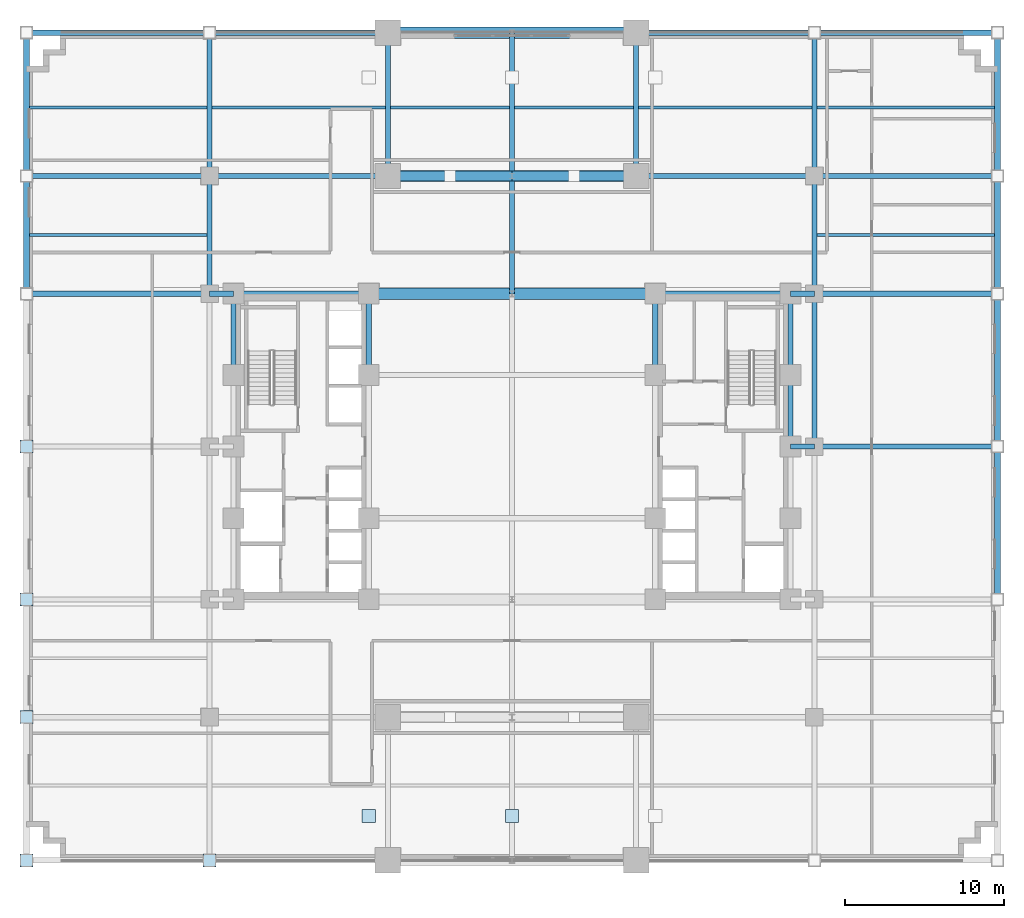
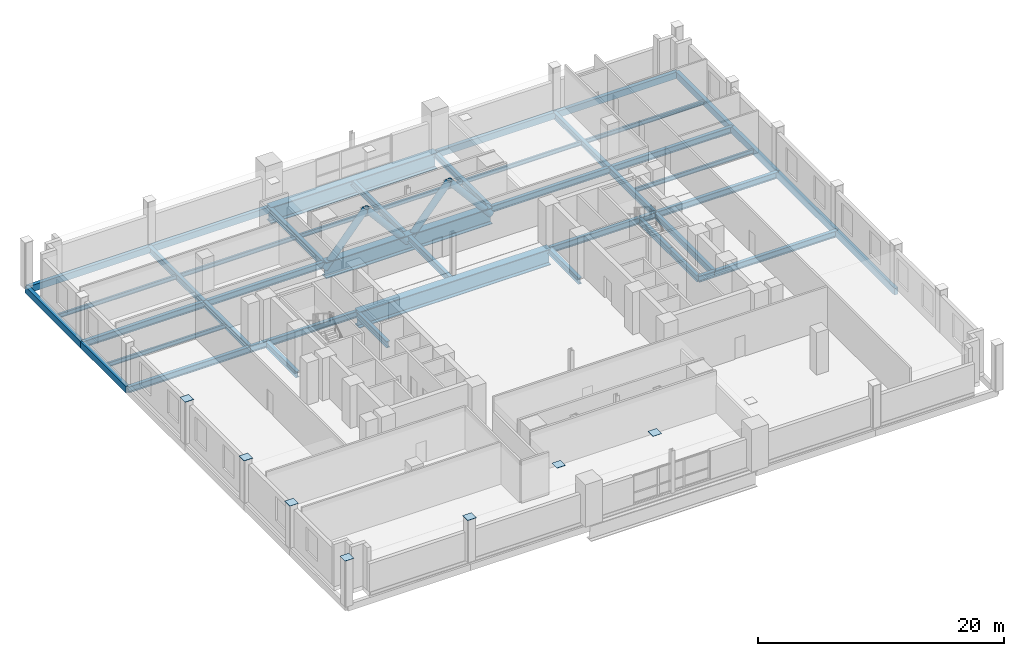
# One storey, part 5 of 17: 47 beams, 7 plates, 4 members.
"""IFC4 building model written with IfcOpenShell, lengths in metres."""

from ifc_helpers import new_model, si_unit, direction, frame, origin, origin_2d, place, context, subcontext, project, spatial, rectangle, hollow_circle, i_section, extrude, source, transform, mapped, material, layer, layer_set, material_profile, profile_set, type_object, type_shapes, element, save


model = new_model("IFC4")

# Units and contexts
model_context = context("Model", 3, precision=1e-05, world=origin(), true_north=direction((0.0, 1.0)))
body_context = subcontext(model_context, "Body", "Model", "MODEL_VIEW")
ifc_project = project(units=[si_unit("LENGTHUNIT", "METRE"), si_unit("AREAUNIT", "SQUARE_METRE"), si_unit("VOLUMEUNIT", "CUBIC_METRE"), si_unit("PLANEANGLEUNIT", "RADIAN"), si_unit("MASSUNIT", "GRAM", prefix="KILO")], contexts=[model_context])

# Site, building, storey
site_placement = place(None, origin())
site = spatial("IfcSite", under=ifc_project, at=site_placement, CompositionType="ELEMENT")
building_placement = place(site_placement, origin())
building = spatial("IfcBuilding", under=site, at=building_placement, Name="Nuvemarco Arch Tower", CompositionType="ELEMENT")
storey_placement = place(building_placement, frame((0.0, 0.0, 23.0)))
storey = spatial("IfcBuildingStorey", under=building, at=storey_placement, Name="L05", CompositionType="ELEMENT", Elevation=23.0)

# Beams
ifc_material_1 = material(Name="Steel S460", Category="steel")
ifc_material_profile_1 = material_profile(ifc_material_1, i_section(OverallWidth=0.699951171875, OverallDepth=1.60009765625, WebThickness=0.035888671875, FlangeThickness=0.06494140625, FilletRadius=0.02392578125, at=origin_2d()), Name="PG1600x700")
ifc_profile_set_1 = profile_set([ifc_material_profile_1], Name="Steel S460")
beam_type_1 = type_object("IfcBeamType", Name="BM-ARCH-TRUSS", PredefinedType="BEAM", material=ifc_profile_set_1)
beam_1_placement = place(storey_placement, frame((-9.0, 9.60009765625, -1.199951171875), z_axis=(1.0, 0.0, 0.0), x_axis=(0.0, 1.0, 0.0)))
element("IfcBeam", 1, at=beam_1_placement, inside=storey, type_object=beam_type_1, Name="L05 Giant Arch transfer girder chord +9.6", PredefinedType="BEAM", context=body_context, shape_type="SweptSolid", body=[
    extrude(i_section(OverallWidth=0.699951171875, OverallDepth=1.60009765625, WebThickness=0.035888671875, FlangeThickness=0.06494140625, FilletRadius=0.02392578125, at=origin_2d()), origin(), (0.0, 0.0, 1.0), 18.0),
])
beam_2_placement = place(storey_placement, frame((-7.800048828125, 17.0, -1.199951171875), z_axis=(1.0, 0.0, 0.0), x_axis=(0.0, 1.0, 0.0)))
element("IfcBeam", 2, at=beam_2_placement, inside=storey, type_object=beam_type_1, Name="L05 Giant Arch transfer girder chord +17.0", PredefinedType="BEAM", context=body_context, shape_type="SweptSolid", body=[
    extrude(i_section(OverallWidth=0.699951171875, OverallDepth=1.60009765625, WebThickness=0.035888671875, FlangeThickness=0.06494140625, FilletRadius=0.02392578125, at=origin_2d()), origin(), (0.0, 0.0, 1.0), 15.60009765625),
])
ifc_material_profile_2 = material_profile(ifc_material_1, i_section(OverallWidth=0.699951171875, OverallDepth=1.60009765625, WebThickness=0.035888671875, FlangeThickness=0.06494140625, FilletRadius=0.02392578125, at=origin_2d()), Name="PG1600x700")
ifc_profile_set_2 = profile_set([ifc_material_profile_2], Name="Steel S460")
beam_type_2 = type_object("IfcBeamType", Name="BM-ARCH-TRUSS-EXT", PredefinedType="BEAM", material=ifc_profile_set_2)
beam_3_placement = place(storey_placement, frame((-7.800048828125, 26.0, -1.199951171875), z_axis=(1.0, 0.0, 0.0), x_axis=(0.0, 1.0, 0.0)))
element("IfcBeam", 3, at=beam_3_placement, inside=storey, type_object=beam_type_2, Name="L05 Giant Arch transfer girder chord +26.0", PredefinedType="BEAM", context=body_context, shape_type="SweptSolid", body=[
    extrude(i_section(OverallWidth=0.699951171875, OverallDepth=1.60009765625, WebThickness=0.035888671875, FlangeThickness=0.06494140625, FilletRadius=0.02392578125, at=origin_2d()), origin(), (0.0, 0.0, 1.0), 15.60009765625),
])
ifc_material_2 = material(Name="Steel S355", Category="steel")
ifc_material_profile_3 = material_profile(ifc_material_2, i_section(OverallWidth=0.324951171875, OverallDepth=0.615966796875, WebThickness=0.013916015625, FlangeThickness=0.021484375, FilletRadius=0.01611328125, at=origin_2d()), Name="W610x174")
ifc_profile_set_3 = profile_set([ifc_material_profile_3], Name="Steel S355")
beam_type_3 = type_object("IfcBeamType", Name="BM-GIRD-610H", PredefinedType="BEAM", material=ifc_profile_set_3)
beam_4_placement = place(storey_placement, frame((-19.0, 9.60009765625, -0.7080078125), z_axis=(0.0, 1.0, 0.0), x_axis=(-1.0, 0.0, 0.0)))
element("IfcBeam", 4, at=beam_4_placement, inside=storey, type_object=beam_type_3, Name="L05 structural beam BGNS_L05_0_-19.0_+9.6", PredefinedType="BEAM", context=body_context, shape_type="SweptSolid", body=[
    extrude(i_section(OverallWidth=0.324951171875, OverallDepth=0.615966796875, WebThickness=0.013916015625, FlangeThickness=0.021484375, FilletRadius=0.01611328125, at=origin_2d()), origin(), (0.0, 0.0, 1.0), 7.39990234375),
])
beam_5_placement = place(storey_placement, frame((-19.0, 17.0, -0.7080078125), z_axis=(0.0, 1.0, 0.0), x_axis=(-1.0, 0.0, 0.0)))
element("IfcBeam", 5, at=beam_5_placement, inside=storey, type_object=beam_type_3, Name="L05 structural beam BGNS_L05_0_-19.0_+17.0", PredefinedType="BEAM", context=body_context, shape_type="SweptSolid", body=[
    extrude(i_section(OverallWidth=0.324951171875, OverallDepth=0.615966796875, WebThickness=0.013916015625, FlangeThickness=0.021484375, FilletRadius=0.01611328125, at=origin_2d()), origin(), (0.0, 0.0, 1.0), 9.0),
])
for number, where, z_axis, x_axis, name in (
    (6, (-17.5, 4.5, -0.7080078125), (0.0, 1.0, 0.0), (-1.0, 0.0, 0.0), "L05 structural beam BGNS_L05_0_-17.5_+4.5"),
    (7, (-9.0, 4.5, -0.7080078125), (0.0, 1.0, 0.0), (-1.0, 0.0, 0.0), "L05 structural beam BGNS_L05_0_-9.0_+4.5"),
):
    element("IfcBeam", number, at=place(storey_placement, frame(where, z_axis=z_axis, x_axis=x_axis)), inside=storey, type_object=beam_type_3, Name=name, PredefinedType="BEAM", context=body_context, shape_type="SweptSolid", body=[
        extrude(i_section(OverallWidth=0.324951171875, OverallDepth=0.615966796875, WebThickness=0.013916015625, FlangeThickness=0.021484375, FilletRadius=0.01611328125, at=origin_2d()), origin(), (0.0, 0.0, 1.0), 5.10009765625),
    ])
beam_6_placement = place(storey_placement, frame((-7.800048828125, 17.0, -0.7080078125), z_axis=(0.0, 1.0, 0.0), x_axis=(-1.0, 0.0, 0.0)))
element("IfcBeam", 8, at=beam_6_placement, inside=storey, type_object=beam_type_3, Name="L05 structural beam BGNS_L05_0_-7.8_+17.0", PredefinedType="BEAM", context=body_context, shape_type="SweptSolid", body=[
    extrude(i_section(OverallWidth=0.324951171875, OverallDepth=0.615966796875, WebThickness=0.013916015625, FlangeThickness=0.021484375, FilletRadius=0.01611328125, at=origin_2d()), origin(), (0.0, 0.0, 1.0), 9.0),
])
beam_7_placement = place(storey_placement, frame((0.0, 9.60009765625, -0.7080078125), z_axis=(0.0, 1.0, 0.0), x_axis=(-1.0, 0.0, 0.0)))
element("IfcBeam", 9, at=beam_7_placement, inside=storey, type_object=beam_type_3, Name="L05 structural beam BGNS_L05_0_+0.0_+9.6", PredefinedType="BEAM", context=body_context, shape_type="SweptSolid", body=[
    extrude(i_section(OverallWidth=0.324951171875, OverallDepth=0.615966796875, WebThickness=0.013916015625, FlangeThickness=0.021484375, FilletRadius=0.01611328125, at=origin_2d()), origin(), (0.0, 0.0, 1.0), 7.39990234375),
])
for number, where, z_axis, x_axis, name in (
    (10, (0.0, 17.0, -0.7080078125), (0.0, 1.0, 0.0), (-1.0, 0.0, 0.0), "L05 structural beam BGNS_L05_0_+0.0_+17.0"),
    (11, (7.800048828125, 17.0, -0.7080078125), (0.0, 1.0, 0.0), (-1.0, 0.0, 0.0), "L05 structural beam BGNS_L05_0_+7.8_+17.0"),
):
    element("IfcBeam", number, at=place(storey_placement, frame(where, z_axis=z_axis, x_axis=x_axis)), inside=storey, type_object=beam_type_3, Name=name, PredefinedType="BEAM", context=body_context, shape_type="SweptSolid", body=[
        extrude(i_section(OverallWidth=0.324951171875, OverallDepth=0.615966796875, WebThickness=0.013916015625, FlangeThickness=0.021484375, FilletRadius=0.01611328125, at=origin_2d()), origin(), (0.0, 0.0, 1.0), 9.0),
    ])
beam_8_placement = place(storey_placement, frame((9.0, 4.5, -0.7080078125), z_axis=(0.0, 1.0, 0.0), x_axis=(-1.0, 0.0, 0.0)))
element("IfcBeam", 12, at=beam_8_placement, inside=storey, type_object=beam_type_3, Name="L05 structural beam BGNS_L05_0_+9.0_+4.5", PredefinedType="BEAM", context=body_context, shape_type="SweptSolid", body=[
    extrude(i_section(OverallWidth=0.324951171875, OverallDepth=0.615966796875, WebThickness=0.013916015625, FlangeThickness=0.021484375, FilletRadius=0.01611328125, at=origin_2d()), origin(), (0.0, 0.0, 1.0), 5.10009765625),
])
beam_9_placement = place(storey_placement, frame((17.5, 0.0, -0.7080078125), z_axis=(0.0, 1.0, 0.0), x_axis=(-1.0, 0.0, 0.0)))
element("IfcBeam", 13, at=beam_9_placement, inside=storey, type_object=beam_type_3, Name="L05 structural beam BGNS_L05_0_+17.5_+0.0", PredefinedType="BEAM", context=body_context, shape_type="SweptSolid", body=[
    extrude(i_section(OverallWidth=0.324951171875, OverallDepth=0.615966796875, WebThickness=0.013916015625, FlangeThickness=0.021484375, FilletRadius=0.01611328125, at=origin_2d()), origin(), (0.0, 0.0, 1.0), 4.5),
])
beam_10_placement = place(storey_placement, frame((17.5, 4.5, -0.7080078125), z_axis=(0.0, 1.0, 0.0), x_axis=(-1.0, 0.0, 0.0)))
element("IfcBeam", 14, at=beam_10_placement, inside=storey, type_object=beam_type_3, Name="L05 structural beam BGNS_L05_0_+17.5_+4.5", PredefinedType="BEAM", context=body_context, shape_type="SweptSolid", body=[
    extrude(i_section(OverallWidth=0.324951171875, OverallDepth=0.615966796875, WebThickness=0.013916015625, FlangeThickness=0.021484375, FilletRadius=0.01611328125, at=origin_2d()), origin(), (0.0, 0.0, 1.0), 5.10009765625),
])
beam_11_placement = place(storey_placement, frame((19.0, 0.0, -0.7080078125), z_axis=(0.0, 1.0, 0.0), x_axis=(-1.0, 0.0, 0.0)))
element("IfcBeam", 15, at=beam_11_placement, inside=storey, type_object=beam_type_3, Name="L05 structural beam BGNS_L05_0_+19.0_+0.0", PredefinedType="BEAM", context=body_context, shape_type="SweptSolid", body=[
    extrude(i_section(OverallWidth=0.324951171875, OverallDepth=0.615966796875, WebThickness=0.013916015625, FlangeThickness=0.021484375, FilletRadius=0.01611328125, at=origin_2d()), origin(), (0.0, 0.0, 1.0), 9.60009765625),
])
beam_12_placement = place(storey_placement, frame((19.0, 9.60009765625, -0.7080078125), z_axis=(0.0, 1.0, 0.0), x_axis=(-1.0, 0.0, 0.0)))
element("IfcBeam", 16, at=beam_12_placement, inside=storey, type_object=beam_type_3, Name="L05 structural beam BGNS_L05_0_+19.0_+9.6", PredefinedType="BEAM", context=body_context, shape_type="SweptSolid", body=[
    extrude(i_section(OverallWidth=0.324951171875, OverallDepth=0.615966796875, WebThickness=0.013916015625, FlangeThickness=0.021484375, FilletRadius=0.01611328125, at=origin_2d()), origin(), (0.0, 0.0, 1.0), 7.39990234375),
])
beam_13_placement = place(storey_placement, frame((19.0, 17.0, -0.7080078125), z_axis=(0.0, 1.0, 0.0), x_axis=(-1.0, 0.0, 0.0)))
element("IfcBeam", 17, at=beam_13_placement, inside=storey, type_object=beam_type_3, Name="L05 structural beam BGNS_L05_0_+19.0_+17.0", PredefinedType="BEAM", context=body_context, shape_type="SweptSolid", body=[
    extrude(i_section(OverallWidth=0.324951171875, OverallDepth=0.615966796875, WebThickness=0.013916015625, FlangeThickness=0.021484375, FilletRadius=0.01611328125, at=origin_2d()), origin(), (0.0, 0.0, 1.0), 9.0),
])
beam_14_placement = place(storey_placement, frame((17.5, 0.0, -0.7080078125), z_axis=(1.0, 0.0, 0.0), x_axis=(0.0, 1.0, 0.0)))
element("IfcBeam", 18, at=beam_14_placement, inside=storey, type_object=beam_type_3, Name="L05 structural beam BGEW_L05_0_+0.0_+17.5", PredefinedType="BEAM", context=body_context, shape_type="SweptSolid", body=[
    extrude(i_section(OverallWidth=0.324951171875, OverallDepth=0.615966796875, WebThickness=0.013916015625, FlangeThickness=0.021484375, FilletRadius=0.01611328125, at=origin_2d()), origin(), (0.0, 0.0, 1.0), 1.5),
])
for number, where, z_axis, x_axis, name in (
    (19, (19.0, 0.0, -0.7080078125), (1.0, 0.0, 0.0), (0.0, 1.0, 0.0), "L05 structural beam BGEW_L05_0_+0.0_+19.0"),
    (20, (-30.5, 9.60009765625, -0.7080078125), (1.0, 0.0, 0.0), (0.0, 1.0, 0.0), "L05 structural beam BGEW_L05_0_+9.6_-30.5"),
):
    element("IfcBeam", number, at=place(storey_placement, frame(where, z_axis=z_axis, x_axis=x_axis)), inside=storey, type_object=beam_type_3, Name=name, PredefinedType="BEAM", context=body_context, shape_type="SweptSolid", body=[
        extrude(i_section(OverallWidth=0.324951171875, OverallDepth=0.615966796875, WebThickness=0.013916015625, FlangeThickness=0.021484375, FilletRadius=0.01611328125, at=origin_2d()), origin(), (0.0, 0.0, 1.0), 11.5),
    ])
beam_15_placement = place(storey_placement, frame((-19.0, 9.60009765625, -0.7080078125), z_axis=(1.0, 0.0, 0.0), x_axis=(0.0, 1.0, 0.0)))
element("IfcBeam", 21, at=beam_15_placement, inside=storey, type_object=beam_type_3, Name="L05 structural beam BGEW_L05_0_+9.6_-19.0", PredefinedType="BEAM", context=body_context, shape_type="SweptSolid", body=[
    extrude(i_section(OverallWidth=0.324951171875, OverallDepth=0.615966796875, WebThickness=0.013916015625, FlangeThickness=0.021484375, FilletRadius=0.01611328125, at=origin_2d()), origin(), (0.0, 0.0, 1.0), 1.5),
])
for number, where, z_axis, x_axis, name in (
    (22, (-17.5, 9.60009765625, -0.7080078125), (1.0, 0.0, 0.0), (0.0, 1.0, 0.0), "L05 structural beam BGEW_L05_0_+9.6_-17.5"),
    (23, (9.0, 9.60009765625, -0.7080078125), (1.0, 0.0, 0.0), (0.0, 1.0, 0.0), "L05 structural beam BGEW_L05_0_+9.6_+9.0"),
):
    element("IfcBeam", number, at=place(storey_placement, frame(where, z_axis=z_axis, x_axis=x_axis)), inside=storey, type_object=beam_type_3, Name=name, PredefinedType="BEAM", context=body_context, shape_type="SweptSolid", body=[
        extrude(i_section(OverallWidth=0.324951171875, OverallDepth=0.615966796875, WebThickness=0.013916015625, FlangeThickness=0.021484375, FilletRadius=0.01611328125, at=origin_2d()), origin(), (0.0, 0.0, 1.0), 8.5),
    ])
beam_16_placement = place(storey_placement, frame((17.5, 9.60009765625, -0.7080078125), z_axis=(1.0, 0.0, 0.0), x_axis=(0.0, 1.0, 0.0)))
element("IfcBeam", 24, at=beam_16_placement, inside=storey, type_object=beam_type_3, Name="L05 structural beam BGEW_L05_0_+9.6_+17.5", PredefinedType="BEAM", context=body_context, shape_type="SweptSolid", body=[
    extrude(i_section(OverallWidth=0.324951171875, OverallDepth=0.615966796875, WebThickness=0.013916015625, FlangeThickness=0.021484375, FilletRadius=0.01611328125, at=origin_2d()), origin(), (0.0, 0.0, 1.0), 1.5),
])
for number, where, z_axis, x_axis, name in (
    (25, (19.0, 9.60009765625, -0.7080078125), (1.0, 0.0, 0.0), (0.0, 1.0, 0.0), "L05 structural beam BGEW_L05_0_+9.6_+19.0"),
    (26, (-30.5, 17.0, -0.7080078125), (1.0, 0.0, 0.0), (0.0, 1.0, 0.0), "L05 structural beam BGEW_L05_0_+17.0_-30.5"),
):
    element("IfcBeam", number, at=place(storey_placement, frame(where, z_axis=z_axis, x_axis=x_axis)), inside=storey, type_object=beam_type_3, Name=name, PredefinedType="BEAM", context=body_context, shape_type="SweptSolid", body=[
        extrude(i_section(OverallWidth=0.324951171875, OverallDepth=0.615966796875, WebThickness=0.013916015625, FlangeThickness=0.021484375, FilletRadius=0.01611328125, at=origin_2d()), origin(), (0.0, 0.0, 1.0), 11.5),
    ])
for number, where, z_axis, x_axis, name in (
    (27, (-19.0, 17.0, -0.7080078125), (1.0, 0.0, 0.0), (0.0, 1.0, 0.0), "L05 structural beam BGEW_L05_0_+17.0_-19.0"),
    (28, (7.800048828125, 17.0, -0.7080078125), (1.0, 0.0, 0.0), (0.0, 1.0, 0.0), "L05 structural beam BGEW_L05_0_+17.0_+7.8"),
):
    element("IfcBeam", number, at=place(storey_placement, frame(where, z_axis=z_axis, x_axis=x_axis)), inside=storey, type_object=beam_type_3, Name=name, PredefinedType="BEAM", context=body_context, shape_type="SweptSolid", body=[
        extrude(i_section(OverallWidth=0.324951171875, OverallDepth=0.615966796875, WebThickness=0.013916015625, FlangeThickness=0.021484375, FilletRadius=0.01611328125, at=origin_2d()), origin(), (0.0, 0.0, 1.0), 11.199951171875),
    ])
beam_17_placement = place(storey_placement, frame((19.0, 17.0, -0.7080078125), z_axis=(1.0, 0.0, 0.0), x_axis=(0.0, 1.0, 0.0)))
element("IfcBeam", 29, at=beam_17_placement, inside=storey, type_object=beam_type_3, Name="L05 structural beam BGEW_L05_0_+17.0_+19.0", PredefinedType="BEAM", context=body_context, shape_type="SweptSolid", body=[
    extrude(i_section(OverallWidth=0.324951171875, OverallDepth=0.615966796875, WebThickness=0.013916015625, FlangeThickness=0.021484375, FilletRadius=0.01611328125, at=origin_2d()), origin(), (0.0, 0.0, 1.0), 11.5),
])
ifc_material_profile_4 = material_profile(ifc_material_2, i_section(OverallWidth=0.179931640625, OverallDepth=0.4130859375, WebThickness=0.009765625, FlangeThickness=0.01611328125, FilletRadius=0.014892578125, at=origin_2d()), Name="W410x75")
ifc_profile_set_4 = profile_set([ifc_material_profile_4], Name="Steel S355")
beam_type_4 = type_object("IfcBeamType", Name="BM-JOIST-410", PredefinedType="JOIST", material=ifc_profile_set_4)
for number, where, z_axis, x_axis, name in (
    (30, (-30.324951171875, 13.300048828125, -0.6064453125), (1.0, 0.0, 0.0), (0.0, 1.0, 0.0), "L05 structural beam BJ_L05_0_+13.3_-30.5"),
    (31, (19.16259765625, 13.300048828125, -0.6064453125), (1.0, 0.0, 0.0), (0.0, 1.0, 0.0), "L05 structural beam BJ_L05_0_+13.3_+19.0"),
    (32, (-30.324951171875, 21.300048828125, -0.6064453125), (1.0, 0.0, 0.0), (0.0, 1.0, 0.0), "L05 structural beam BJ_L05_0_+21.3_-30.5"),
):
    element("IfcBeam", number, at=place(storey_placement, frame(where, z_axis=z_axis, x_axis=x_axis)), inside=storey, type_object=beam_type_4, Name=name, PredefinedType="JOIST", context=body_context, shape_type="SweptSolid", body=[
        extrude(i_section(OverallWidth=0.179931640625, OverallDepth=0.4130859375, WebThickness=0.009765625, FlangeThickness=0.01611328125, FilletRadius=0.014892578125, at=origin_2d()), origin(), (0.0, 0.0, 1.0), 11.162353515625),
    ])
beam_18_placement = place(storey_placement, frame((-18.83740234375, 21.300048828125, -0.6064453125), z_axis=(1.0, 0.0, 0.0), x_axis=(0.0, 1.0, 0.0)))
element("IfcBeam", 33, at=beam_18_placement, inside=storey, type_object=beam_type_4, Name="L05 structural beam BJ_L05_0_+21.3_-19.0", PredefinedType="JOIST", context=body_context, shape_type="SweptSolid", body=[
    extrude(i_section(OverallWidth=0.179931640625, OverallDepth=0.4130859375, WebThickness=0.009765625, FlangeThickness=0.01611328125, FilletRadius=0.014892578125, at=origin_2d()), origin(), (0.0, 0.0, 1.0), 10.875),
])
for number, where, z_axis, x_axis, name in (
    (34, (-7.637451171875, 21.300048828125, -0.6064453125), (1.0, 0.0, 0.0), (0.0, 1.0, 0.0), "L05 structural beam BJ_L05_0_+21.3_-7.8"),
    (35, (0.16259765625, 21.300048828125, -0.6064453125), (1.0, 0.0, 0.0), (0.0, 1.0, 0.0), "L05 structural beam BJ_L05_0_+21.3_+0.0"),
):
    element("IfcBeam", number, at=place(storey_placement, frame(where, z_axis=z_axis, x_axis=x_axis)), inside=storey, type_object=beam_type_4, Name=name, PredefinedType="JOIST", context=body_context, shape_type="SweptSolid", body=[
        extrude(i_section(OverallWidth=0.179931640625, OverallDepth=0.4130859375, WebThickness=0.009765625, FlangeThickness=0.01611328125, FilletRadius=0.014892578125, at=origin_2d()), origin(), (0.0, 0.0, 1.0), 7.474853515625),
    ])
beam_19_placement = place(storey_placement, frame((7.96240234375, 21.300048828125, -0.6064453125), z_axis=(1.0, 0.0, 0.0), x_axis=(0.0, 1.0, 0.0)))
element("IfcBeam", 36, at=beam_19_placement, inside=storey, type_object=beam_type_4, Name="L05 structural beam BJ_L05_0_+21.3_+7.8", PredefinedType="JOIST", context=body_context, shape_type="SweptSolid", body=[
    extrude(i_section(OverallWidth=0.179931640625, OverallDepth=0.4130859375, WebThickness=0.009765625, FlangeThickness=0.01611328125, FilletRadius=0.014892578125, at=origin_2d()), origin(), (0.0, 0.0, 1.0), 10.875),
])
beam_20_placement = place(storey_placement, frame((19.16259765625, 21.300048828125, -0.6064453125), z_axis=(1.0, 0.0, 0.0), x_axis=(0.0, 1.0, 0.0)))
element("IfcBeam", 37, at=beam_20_placement, inside=storey, type_object=beam_type_4, Name="L05 structural beam BJ_L05_0_+21.3_+19.0", PredefinedType="JOIST", context=body_context, shape_type="SweptSolid", body=[
    extrude(i_section(OverallWidth=0.179931640625, OverallDepth=0.4130859375, WebThickness=0.009765625, FlangeThickness=0.01611328125, FilletRadius=0.014892578125, at=origin_2d()), origin(), (0.0, 0.0, 1.0), 11.162353515625),
])
ifc_material_3 = material(Name="Precast concrete C45/55", Category="concrete")
ifc_material_profile_5 = material_profile(ifc_material_3, rectangle(XDim=0.35009765625, YDim=0.64990234375, at=origin_2d()), Name="PC-SP-350x650")
ifc_profile_set_5 = profile_set([ifc_material_profile_5], Name="Precast concrete C45/55")
beam_type_5 = type_object("IfcBeamType", Name="BM-SPAN-RC", PredefinedType="SPANDREL", material=ifc_profile_set_5)
beam_21_placement = place(storey_placement, frame((-30.5, 9.60009765625, -0.72509765625), z_axis=(0.0, 1.0, 0.0), x_axis=(-1.0, 0.0, 0.0)))
element("IfcBeam", 38, at=beam_21_placement, inside=storey, type_object=beam_type_5, Name="L05 structural beam BGNS_L05_0_-30.5_+9.6", PredefinedType="SPANDREL", context=body_context, shape_type="SweptSolid", body=[
    extrude(rectangle(XDim=0.35009765625, YDim=0.64990234375, at=origin_2d()), origin(), (0.0, 0.0, 1.0), 7.39990234375),
])
beam_22_placement = place(storey_placement, frame((-30.5, 17.0, -0.72509765625), z_axis=(0.0, 1.0, 0.0), x_axis=(-1.0, 0.0, 0.0)))
element("IfcBeam", 39, at=beam_22_placement, inside=storey, type_object=beam_type_5, Name="L05 structural beam BGNS_L05_0_-30.5_+17.0", PredefinedType="SPANDREL", context=body_context, shape_type="SweptSolid", body=[
    extrude(rectangle(XDim=0.35009765625, YDim=0.64990234375, at=origin_2d()), origin(), (0.0, 0.0, 1.0), 9.0),
])
for number, where, z_axis, x_axis, name in (
    (40, (30.5, -9.60009765625, -0.72509765625), (0.0, 1.0, 0.0), (-1.0, 0.0, 0.0), "L05 structural beam BGNS_L05_0_+30.5_-9.6"),
    (41, (30.5, 0.0, -0.72509765625), (0.0, 1.0, 0.0), (-1.0, 0.0, 0.0), "L05 structural beam BGNS_L05_0_+30.5_+0.0"),
):
    element("IfcBeam", number, at=place(storey_placement, frame(where, z_axis=z_axis, x_axis=x_axis)), inside=storey, type_object=beam_type_5, Name=name, PredefinedType="SPANDREL", context=body_context, shape_type="SweptSolid", body=[
        extrude(rectangle(XDim=0.35009765625, YDim=0.64990234375, at=origin_2d()), origin(), (0.0, 0.0, 1.0), 9.60009765625),
    ])
beam_23_placement = place(storey_placement, frame((30.5, 9.60009765625, -0.72509765625), z_axis=(0.0, 1.0, 0.0), x_axis=(-1.0, 0.0, 0.0)))
element("IfcBeam", 42, at=beam_23_placement, inside=storey, type_object=beam_type_5, Name="L05 structural beam BGNS_L05_0_+30.5_+9.6", PredefinedType="SPANDREL", context=body_context, shape_type="SweptSolid", body=[
    extrude(rectangle(XDim=0.35009765625, YDim=0.64990234375, at=origin_2d()), origin(), (0.0, 0.0, 1.0), 7.39990234375),
])
beam_24_placement = place(storey_placement, frame((30.5, 17.0, -0.72509765625), z_axis=(0.0, 1.0, 0.0), x_axis=(-1.0, 0.0, 0.0)))
element("IfcBeam", 43, at=beam_24_placement, inside=storey, type_object=beam_type_5, Name="L05 structural beam BGNS_L05_0_+30.5_+17.0", PredefinedType="SPANDREL", context=body_context, shape_type="SweptSolid", body=[
    extrude(rectangle(XDim=0.35009765625, YDim=0.64990234375, at=origin_2d()), origin(), (0.0, 0.0, 1.0), 9.0),
])
beam_25_placement = place(storey_placement, frame((-30.5, 26.0, -0.72509765625), z_axis=(1.0, 0.0, 0.0), x_axis=(0.0, 1.0, 0.0)))
element("IfcBeam", 44, at=beam_25_placement, inside=storey, type_object=beam_type_5, Name="L05 structural beam BGEW_L05_0_+26.0_-30.5", PredefinedType="SPANDREL", context=body_context, shape_type="SweptSolid", body=[
    extrude(rectangle(XDim=0.35009765625, YDim=0.64990234375, at=origin_2d()), origin(), (0.0, 0.0, 1.0), 11.5),
])
for number, where, z_axis, x_axis, name in (
    (45, (-19.0, 26.0, -0.72509765625), (1.0, 0.0, 0.0), (0.0, 1.0, 0.0), "L05 structural beam BGEW_L05_0_+26.0_-19.0"),
    (46, (7.800048828125, 26.0, -0.72509765625), (1.0, 0.0, 0.0), (0.0, 1.0, 0.0), "L05 structural beam BGEW_L05_0_+26.0_+7.8"),
):
    element("IfcBeam", number, at=place(storey_placement, frame(where, z_axis=z_axis, x_axis=x_axis)), inside=storey, type_object=beam_type_5, Name=name, PredefinedType="SPANDREL", context=body_context, shape_type="SweptSolid", body=[
        extrude(rectangle(XDim=0.35009765625, YDim=0.64990234375, at=origin_2d()), origin(), (0.0, 0.0, 1.0), 11.199951171875),
    ])
beam_26_placement = place(storey_placement, frame((19.0, 26.0, -0.72509765625), z_axis=(1.0, 0.0, 0.0), x_axis=(0.0, 1.0, 0.0)))
element("IfcBeam", 47, at=beam_26_placement, inside=storey, type_object=beam_type_5, Name="L05 structural beam BGEW_L05_0_+26.0_+19.0", PredefinedType="SPANDREL", context=body_context, shape_type="SweptSolid", body=[
    extrude(rectangle(XDim=0.35009765625, YDim=0.64990234375, at=origin_2d()), origin(), (0.0, 0.0, 1.0), 11.5),
])

# Members
ifc_material_profile_6 = material_profile(ifc_material_2, hollow_circle(Radius=0.304931640625, WallThickness=0.0400390625, at=origin_2d()), Name="CHS610x40")
ifc_profile_set_6 = profile_set([ifc_material_profile_6], Name="Steel S355")
member_type = type_object("IfcMemberType", Name="MB-ARCH-DIAG", PredefinedType="BRACE", material=ifc_profile_set_6)
member_1_placement = place(storey_placement, frame((-7.800048828125, 17.0, -1.199951171875), z_axis=(0.64671136411, 0.0, 0.762734823862), x_axis=(0.0, 1.0, 0.0)))
element("IfcMember", 48, at=member_1_placement, inside=storey, type_object=member_type, Name="L05 Giant Arch transfer truss diagonal 1", PredefinedType="BRACE", context=body_context, shape_type="SweptSolid", body=[
    extrude(hollow_circle(Radius=0.304931640625, WallThickness=0.0400390625, at=origin_2d()), origin(), (0.0, 0.0, 1.0), 6.03076171875),
])
for number, where, z_axis, x_axis, name in (
    (49, (-3.89990234375, 17.0, 3.39990234375), (0.646687811782, 0.0, -0.7627547929), (0.0, 1.0, 0.0), "L05 Giant Arch transfer truss diagonal 2"),
    (50, (0.0, 17.0, -1.199951171875), (0.646687811782, 0.0, 0.7627547929), (0.0, 1.0, 0.0), "L05 Giant Arch transfer truss diagonal 3"),
):
    element("IfcMember", number, at=place(storey_placement, frame(where, z_axis=z_axis, x_axis=x_axis)), inside=storey, type_object=member_type, Name=name, PredefinedType="BRACE", context=body_context, shape_type="SweptSolid", body=[
        extrude(hollow_circle(Radius=0.304931640625, WallThickness=0.0400390625, at=origin_2d()), origin(), (0.0, 0.0, 1.0), 6.030517578125),
    ])
member_2_placement = place(storey_placement, frame((3.89990234375, 17.0, 3.39990234375), z_axis=(0.64671136411, 0.0, -0.762734823862), x_axis=(0.0, 1.0, 0.0)))
element("IfcMember", 51, at=member_2_placement, inside=storey, type_object=member_type, Name="L05 Giant Arch transfer truss diagonal 4", PredefinedType="BRACE", context=body_context, shape_type="SweptSolid", body=[
    extrude(hollow_circle(Radius=0.304931640625, WallThickness=0.0400390625, at=origin_2d()), origin(), (0.0, 0.0, 1.0), 6.03076171875),
])

# Plates
ifc_layer = layer(ifc_material_1, 0.030029296875, Name="PL-CAP-800-EXT")
ifc_layer_set = layer_set([ifc_layer], Name="Steel S460")
plate_type = type_object("IfcPlateType", Name="PL-CAP-800-EXT", PredefinedType="SHEET", material=ifc_layer_set)
shared_shape = source(origin(), body_context, "Body", "SweptSolid", [
    extrude(rectangle(XDim=0.820068359375, YDim=0.820068359375, at=origin_2d()), origin(), (0.0, 0.0, 1.0), 0.030029296875),
])
type_shapes(plate_type, [shared_shape])
for number, where, z_axis, x_axis, name in (
    (52, (-30.5, -26.0, 4.18505859375), (0.0, 0.0, 1.0), (1.0, 0.0, 0.0), "Hollow steel end-cap plate COL-L05-CP_-30.5_-26.0_TOP"),
    (53, (-30.5, -17.0, 4.18505859375), (0.0, 0.0, 1.0), (1.0, 0.0, 0.0), "Hollow steel end-cap plate COL-L05-CP_-30.5_-17.0_TOP"),
    (54, (-30.5, -9.60009765625, 4.18505859375), (0.0, 0.0, 1.0), (1.0, 0.0, 0.0), "Hollow steel end-cap plate COL-L05-CP_-30.5_-9.6_TOP"),
    (55, (-30.5, 0.0, 4.18505859375), (0.0, 0.0, 1.0), (1.0, 0.0, 0.0), "Hollow steel end-cap plate COL-L05-CP_-30.5_+0.0_TOP"),
    (56, (-19.0, -26.0, 4.18505859375), (0.0, 0.0, 1.0), (1.0, 0.0, 0.0), "Hollow steel end-cap plate COL-L05-CP_-19.0_-26.0_TOP"),
    (57, (-9.0, -23.199951171875, 4.18505859375), (0.0, 0.0, 1.0), (1.0, 0.0, 0.0), "Hollow steel end-cap plate COL-L06-CY_-9.0_-23.2_BOT"),
    (58, (0.0, -23.199951171875, 4.18505859375), (0.0, 0.0, 1.0), (1.0, 0.0, 0.0), "Hollow steel end-cap plate COL-L06-CY_+0.0_-23.2_BOT"),
):
    element("IfcPlate", number, at=place(storey_placement, frame(where, z_axis=z_axis, x_axis=x_axis)), inside=storey, type_object=plate_type, Name=name, PredefinedType="SHEET", context=body_context, shape_type="MappedRepresentation", body=[
        mapped(shared_shape, transform((0.0, 0.0, 0.0), scale=1.0)),
    ])

save(model, "model.ifc")
